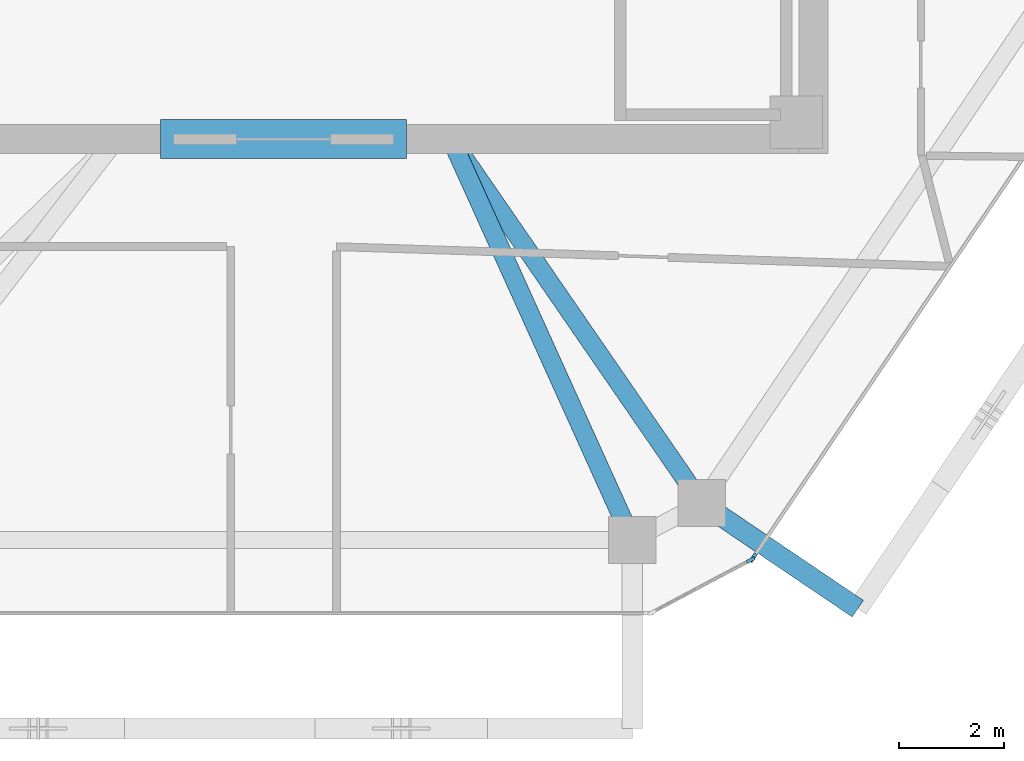
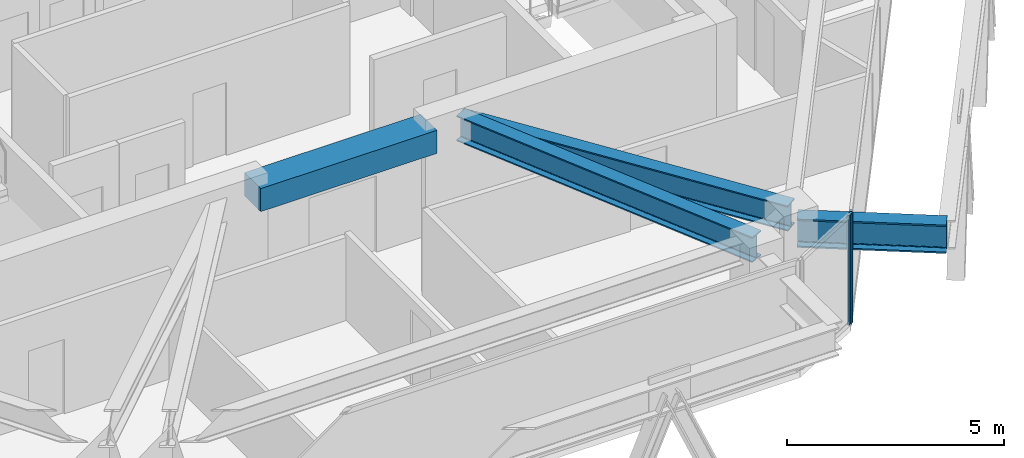
# One storey, part 3 of 14: 4 beams, 2 members, 2 elements without a shape of their own.
"""IFC4 building model written with IfcOpenShell, lengths in metres."""

from ifc_helpers import new_model, si_unit, direction, frame, origin, origin_2d, place, context, subcontext, project, spatial, rectangle, i_section, extrude, source, transform, mapped, material, layer, layer_set, material_profile, profile_set, type_object, type_shapes, element, aggregate, save


model = new_model("IFC4")

# Units and contexts
model_context = context("Model", 3, precision=1e-05, world=origin(), true_north=direction((0.0, 1.0)))
body_context = subcontext(model_context, "Body", "Model", "MODEL_VIEW")
ifc_project = project(units=[si_unit("LENGTHUNIT", "METRE"), si_unit("AREAUNIT", "SQUARE_METRE"), si_unit("VOLUMEUNIT", "CUBIC_METRE"), si_unit("PLANEANGLEUNIT", "RADIAN"), si_unit("MASSUNIT", "GRAM", prefix="KILO")], contexts=[model_context])

# Site, building, storey
site_placement = place(None, origin())
site = spatial("IfcSite", under=ifc_project, at=site_placement, CompositionType="ELEMENT")
building_placement = place(site_placement, origin())
building = spatial("IfcBuilding", under=site, at=building_placement, Name="Durnholm Broadcast Tower", CompositionType="ELEMENT")
storey_placement = place(building_placement, frame((0.0, 0.0, 261.5)))
storey = spatial("IfcBuildingStorey", under=building, at=storey_placement, Name="L73", CompositionType="ELEMENT", Elevation=261.5)

# Beams
ifc_material_1 = material(Name="Concrete C70/85", Category="concrete")
ifc_material_profile_1 = material_profile(ifc_material_1, rectangle(XDim=0.75, YDim=0.64990234375, at=origin_2d()), Name="RC750X650")
ifc_profile_set_1 = profile_set([ifc_material_profile_1], Name="Concrete C70/85")
beam_type_1 = type_object("IfcBeamType", Name="BM-CB-RC650", PredefinedType="LINTEL", material=ifc_profile_set_1)
shared_shape_1 = source(origin(), body_context, "Body", "SweptSolid", [
    extrude(rectangle(XDim=0.75, YDim=0.64990234375, at=origin_2d()), origin(), (0.0, 0.0, 1.0), 4.7001953125),
])
type_shapes(beam_type_1, [shared_shape_1])
beam_1_placement = place(storey_placement, frame((-2.35009765625, -8.125, 2.77001953125), z_axis=(1.0, 0.0, 0.0), x_axis=(0.0, 1.0, 0.0)))
element("IfcBeam", 1, at=beam_1_placement, inside=storey, type_object=beam_type_1, Name="L73 south core coupling lintel beam CB-S", PredefinedType="LINTEL", context=body_context, shape_type="MappedRepresentation", body=[
    mapped(shared_shape_1, transform((0.0, 0.0, 0.0), x_axis=(1.0, 0.0, 0.0), y_axis=(0.0, 1.0, 0.0), z_axis=(0.0, 0.0, 1.0), scale=1.0)),
])
ifc_material_2 = material(Name="Steel ASTM A992 Grade 50", Category="steel")
ifc_material_profile_2 = material_profile(ifc_material_2, i_section(OverallWidth=0.385009765625, OverallDepth=0.802978515625, WebThickness=0.023681640625, FlangeThickness=0.0419921875, FilletRadius=0.032958984375, at=origin_2d()), Name="W30X261")
ifc_profile_set_2 = profile_set([ifc_material_profile_2], Name="Steel ASTM A992 Grade 50")
beam_type_2 = type_object("IfcBeamType", Name="BM-EXO-TIE", PredefinedType="USERDEFINED", material=ifc_profile_set_2)
shared_shape_2 = source(origin(), body_context, "Body", "SweptSolid", [
    extrude(i_section(OverallWidth=0.385009765625, OverallDepth=0.802978515625, WebThickness=0.023681640625, FlangeThickness=0.0419921875, FilletRadius=0.032958984375, at=origin_2d()), origin(), (0.0, 0.0, 1.0), 3.4560546875),
])
type_shapes(beam_type_2, [shared_shape_2])
beam_2_placement = place(storey_placement, frame((8.110107421875, -15.161865234375, 2.348388671875), z_axis=(0.828468499792, -0.560035663911, 0.0), x_axis=(0.560035663911, 0.828468499792, 0.0)))
element("IfcBeam", 2, at=beam_2_placement, inside=storey, type_object=beam_type_2, Name="L73 exoskeleton stand-off tie bracket F2.1", ObjectType="GIRDER", PredefinedType="USERDEFINED", context=body_context, shape_type="MappedRepresentation", body=[
    mapped(shared_shape_2, transform((0.0, 0.0, 0.0), x_axis=(1.0, 0.0, 0.0), y_axis=(0.0, 1.0, 0.0), z_axis=(0.0, 0.0, 1.0), scale=1.0)),
])
ifc_material_profile_3 = material_profile(ifc_material_2, i_section(OverallWidth=0.3564453125, OverallDepth=0.713623046875, WebThickness=0.01904296875, FlangeThickness=0.033935546875, FilletRadius=0.030517578125, at=origin_2d()), Name="W27X194")
ifc_profile_set_3 = profile_set([ifc_material_profile_3], Name="Steel ASTM A992 Grade 50")
beam_type_3 = type_object("IfcBeamType", Name="STL-GR-W27X194", PredefinedType="USERDEFINED", material=ifc_profile_set_3)
shared_shape_3 = source(origin(), body_context, "Body", "SweptSolid", [
    extrude(i_section(OverallWidth=0.3564453125, OverallDepth=0.713623046875, WebThickness=0.01904296875, FlangeThickness=0.033935546875, FilletRadius=0.030517578125, at=origin_2d()), origin(), (0.0, 0.0, 1.0), 8.446533203125),
])
beam_3_placement = place(storey_placement, frame((3.199951171875, -8.125, 2.728271484375), z_axis=(0.567216806915, -0.823568511997, 0.0), x_axis=(0.823568511997, 0.567216806915, 0.0)))
element("IfcBeam", 3, at=beam_3_placement, inside=storey, type_object=beam_type_3, Name="L73 radial primary floor girder 10", ObjectType="GIRDER", PredefinedType="USERDEFINED", context=body_context, shape_type="MappedRepresentation", body=[
    mapped(shared_shape_3, transform((0.0, 0.0, 0.0), x_axis=(1.0, 0.0, 0.0), y_axis=(0.0, 1.0, 0.0), z_axis=(0.0, 0.0, 1.0), scale=1.0)),
])
shared_shape_4 = source(origin(), body_context, "Body", "SweptSolid", [
    extrude(i_section(OverallWidth=0.3564453125, OverallDepth=0.713623046875, WebThickness=0.01904296875, FlangeThickness=0.033935546875, FilletRadius=0.030517578125, at=origin_2d()), origin(), (0.0, 0.0, 1.0), 8.407470703125),
])
type_shapes(beam_type_3, [shared_shape_3, shared_shape_4])
beam_4_placement = place(storey_placement, frame((3.199951171875, -8.125, 2.728271484375), z_axis=(0.411992813642, -0.911187094678, 0.0), x_axis=(0.911187094678, 0.411992813642, 0.0)))
element("IfcBeam", 4, at=beam_4_placement, inside=storey, type_object=beam_type_3, Name="L73 radial primary floor girder 11", ObjectType="GIRDER", PredefinedType="USERDEFINED", context=body_context, shape_type="MappedRepresentation", body=[
    mapped(shared_shape_4, transform((0.0, 0.0, 0.0), x_axis=(1.0, 0.0, 0.0), y_axis=(0.0, 1.0, 0.0), z_axis=(0.0, 0.0, 1.0), scale=1.0)),
])

# Curtain wall, member
ifc_material_3 = material(Name="Aluminium and Solar Control IGU", Category="aluminium")
ifc_layer_1 = layer(ifc_material_3, 0.1650390625)
ifc_layer_set_1 = layer_set([ifc_layer_1], Name="Aluminium and Solar Control IGU")
curtain_wall_type_1 = type_object("IfcCurtainWallType", Name="CW-SYS-5", PredefinedType="NOTDEFINED", material=ifc_layer_set_1)
curtain_wall_1_placement = place(storey_placement, origin())
curtain_wall_1 = element("IfcCurtainWall", 5, at=curtain_wall_1_placement, inside=storey, type_object=curtain_wall_type_1, Name="L73 curtain wall CW-CORNER CW-L73-CRN-09", PredefinedType="NOTDEFINED")
ifc_material_4 = material(Name="Aluminium 6063-T6", Category="aluminium")
ifc_material_profile_4 = material_profile(ifc_material_4, rectangle(XDim=0.06494140625, YDim=0.1650390625, at=origin_2d()), Name="CWM65X165")
ifc_profile_set_4 = profile_set([ifc_material_profile_4], Name="Aluminium 6063-T6")
member_type_1 = type_object("IfcMemberType", Name="CW-SYS-5-MUL", PredefinedType="MULLION", material=ifc_profile_set_4)
shared_shape_5 = source(origin(), body_context, "Body", "SweptSolid", [
    extrude(rectangle(XDim=0.06494140625, YDim=0.1650390625, at=origin_2d()), origin(), (0.0, 0.0, 1.0), 3.10009765625),
])
type_shapes(member_type_1, [shared_shape_5])
member_1_placement = place(storey_placement, frame((8.9267578125, -16.16943359375, 0.0), z_axis=(0.0, 0.0, 1.0), x_axis=(0.469006771575, -0.883194569853, 0.0)))
member_1 = element("IfcMember", 6, at=member_1_placement, type_object=member_type_1, Name="CW-CORNER mullion 1", PredefinedType="MULLION", context=body_context, shape_type="MappedRepresentation", body=[
    mapped(shared_shape_5, transform((0.0, 0.0, 0.0), x_axis=(1.0, 0.0, 0.0), y_axis=(0.0, 1.0, 0.0), z_axis=(0.0, 0.0, 1.0), scale=1.0)),
])
aggregate(curtain_wall_1, [member_1])

ifc_layer_2 = layer(ifc_material_3, 0.18994140625)
ifc_layer_set_2 = layer_set([ifc_layer_2], Name="Aluminium and Solar Control IGU")
curtain_wall_type_2 = type_object("IfcCurtainWallType", Name="CW-SYS-4", PredefinedType="NOTDEFINED", material=ifc_layer_set_2)
curtain_wall_2_placement = place(storey_placement, origin())
curtain_wall_2 = element("IfcCurtainWall", 7, at=curtain_wall_2_placement, inside=storey, type_object=curtain_wall_type_2, Name="L73 curtain wall CW-Z34-VIS CW-L73-F08", PredefinedType="NOTDEFINED")
ifc_material_profile_5 = material_profile(ifc_material_4, rectangle(XDim=0.070068359375, YDim=0.18994140625, at=origin_2d()), Name="CWM70X190")
ifc_profile_set_5 = profile_set([ifc_material_profile_5], Name="Aluminium 6063-T6")
member_type_2 = type_object("IfcMemberType", Name="CW-SYS-4-MUL", PredefinedType="MULLION", material=ifc_profile_set_5)
shared_shape_6 = source(origin(), body_context, "Body", "SweptSolid", [
    extrude(rectangle(XDim=0.070068359375, YDim=0.18994140625, at=origin_2d()), origin(), (0.0, 0.0, 1.0), 3.10009765625),
])
type_shapes(member_type_2, [shared_shape_6])
member_2_placement = place(storey_placement, frame((8.97509765625, -16.125244140625, 0.0), z_axis=(0.0, 0.0, 1.0), x_axis=(0.828443431662, -0.560072745753, 0.0)))
member_2 = element("IfcMember", 8, at=member_2_placement, type_object=member_type_2, Name="CW-Z34-VIS mullion 2", PredefinedType="MULLION", context=body_context, shape_type="MappedRepresentation", body=[
    mapped(shared_shape_6, transform((0.0, 0.0, 0.0), x_axis=(1.0, 0.0, 0.0), y_axis=(0.0, 1.0, 0.0), z_axis=(0.0, 0.0, 1.0), scale=1.0)),
])
aggregate(curtain_wall_2, [member_2])

save(model, "model.ifc")
